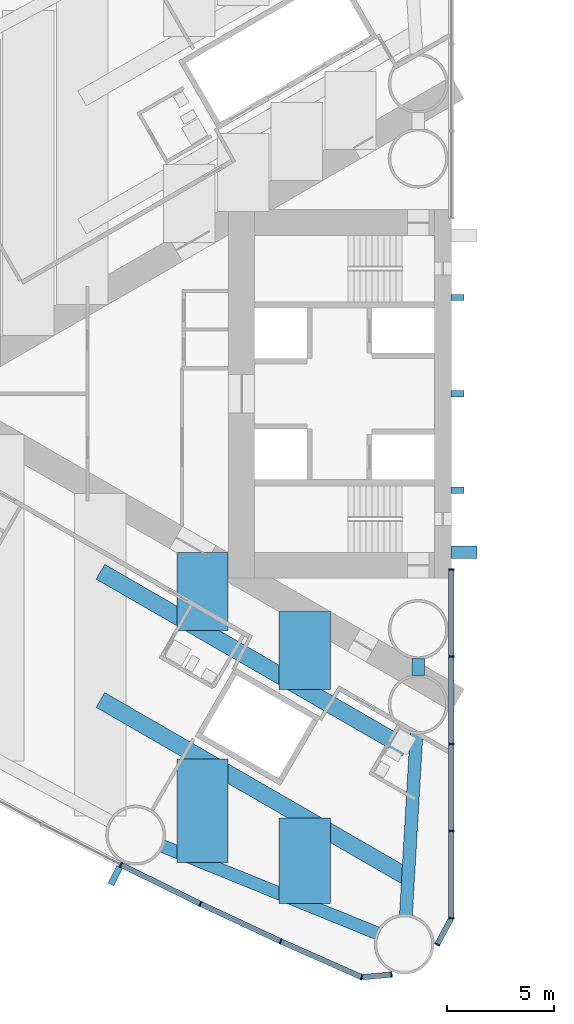
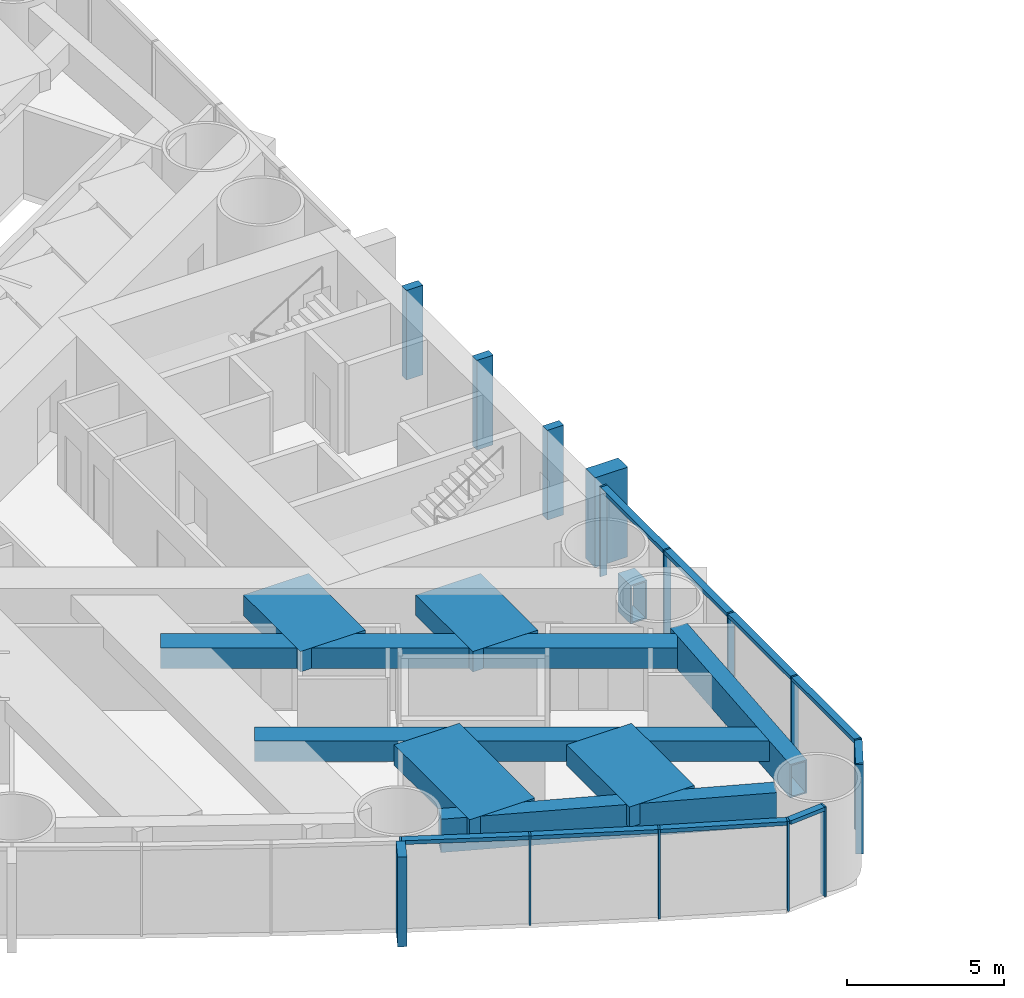
# One storey, part 3 of 19: 25 members, 9 beams, 2 elements without a shape of their own.
"""IFC4 building model written with IfcOpenShell, lengths in metres."""

from ifc_helpers import new_model, si_unit, direction, frame, origin, origin_2d, place, context, subcontext, project, spatial, rectangle, hollow_rectangle, extrude, material, material_profile, profile_set, type_object, element, aggregate, save


model = new_model("IFC4")

# Units and contexts
model_context = context("Model", 3, precision=1e-05, world=origin(), true_north=direction((0.0, 1.0)))
body_context = subcontext(model_context, "Body", "Model", "MODEL_VIEW")
ifc_project = project(units=[si_unit("LENGTHUNIT", "METRE"), si_unit("AREAUNIT", "SQUARE_METRE"), si_unit("VOLUMEUNIT", "CUBIC_METRE"), si_unit("PLANEANGLEUNIT", "RADIAN"), si_unit("MASSUNIT", "GRAM", prefix="KILO")], contexts=[model_context])

# Site, building, storey
site_placement = place(None, origin())
site = spatial("IfcSite", under=ifc_project, at=site_placement, CompositionType="ELEMENT")
building_placement = place(site_placement, origin())
building = spatial("IfcBuilding", under=site, at=building_placement, Name="Lancet Gate Hotel", CompositionType="ELEMENT")
storey_placement = place(building_placement, frame((0.0, 0.0, 74.0)))
storey = spatial("IfcBuildingStorey", under=building, at=storey_placement, Name="L19", CompositionType="ELEMENT", Elevation=74.0)

# Curtain wall, members
ifc_material_1 = material(Name="Aluminium curtain wall", Category="aluminium")
curtain_wall_type = type_object("IfcCurtainWallType", Name="Tower unitised curtain wall", PredefinedType="USERDEFINED", material=ifc_material_1)
curtain_wall_1_placement = place(storey_placement, origin())
curtain_wall_1 = element("IfcCurtainWall", 1, at=curtain_wall_1_placement, inside=storey, type_object=curtain_wall_type, Name="T1 L19 curtain wall 3", ObjectType="UNITISED CURTAIN WALL", PredefinedType="USERDEFINED")
ifc_material_2 = material(Name="Aluminium mullion", Category="aluminium")
ifc_material_profile_1 = material_profile(ifc_material_2, rectangle(XDim=0.06494140625, YDim=0.25, at=origin_2d()), Name="MULLION 65x250")
ifc_profile_set_1 = profile_set([ifc_material_profile_1], Name="Aluminium mullion")
member_type_1 = type_object("IfcMemberType", Name="Aluminium mullion 65x250", PredefinedType="MULLION", material=ifc_profile_set_1)
member_1_placement = place(storey_placement, frame((-42.94189453125, -21.991943359375, 0.0), z_axis=(0.0, 0.0, 1.0), x_axis=(0.893291549794, -0.449477704748, 0.0)))
member_1 = element("IfcMember", 2, at=member_1_placement, type_object=member_type_1, Name="T1 L19 curtain wall 3 mullion 11", PredefinedType="MULLION", context=body_context, shape_type="SweptSolid", body=[
    extrude(rectangle(XDim=0.06494140625, YDim=0.25, at=origin_2d()), origin(), (0.0, 0.0, 1.0), 3.5),
])
member_2_placement = place(storey_placement, frame((-39.225341796875, -23.816650390625, 0.0), z_axis=(0.0, 0.0, 1.0), x_axis=(0.901928838337, -0.431884672772, 0.0)))
member_2 = element("IfcMember", 3, at=member_2_placement, type_object=member_type_1, Name="T1 L19 curtain wall 3 mullion 12", PredefinedType="MULLION", context=body_context, shape_type="SweptSolid", body=[
    extrude(rectangle(XDim=0.06494140625, YDim=0.25, at=origin_2d()), origin(), (0.0, 0.0, 1.0), 3.5),
])
member_3_placement = place(storey_placement, frame((-35.473876953125, -25.568115234375, 0.0), z_axis=(0.0, 0.0, 1.0), x_axis=(0.910219680212, -0.414125746308, 0.0)))
member_3 = element("IfcMember", 4, at=member_3_placement, type_object=member_type_1, Name="T1 L19 curtain wall 3 mullion 13", PredefinedType="MULLION", context=body_context, shape_type="SweptSolid", body=[
    extrude(rectangle(XDim=0.06494140625, YDim=0.25, at=origin_2d()), origin(), (0.0, 0.0, 1.0), 3.5),
])
member_4_placement = place(storey_placement, frame((-31.688720703125, -27.24560546875, 0.0), z_axis=(0.0, 0.0, 1.0), x_axis=(0.957524354695, -0.288352406209, 0.0)))
member_4 = element("IfcMember", 5, at=member_4_placement, type_object=member_type_1, Name="T1 L19 curtain wall 3 mullion 14", PredefinedType="MULLION", context=body_context, shape_type="SweptSolid", body=[
    extrude(rectangle(XDim=0.06494140625, YDim=0.25, at=origin_2d()), origin(), (0.0, 0.0, 1.0), 3.5),
])
member_5_placement = place(storey_placement, frame((-30.3046875, -27.124755859375, 0.0), z_axis=(0.0, 0.0, 1.0), x_axis=(0.99620380374, 0.087051602022, 0.0)))
member_5 = element("IfcMember", 6, at=member_5_placement, type_object=member_type_1, Name="T1 L19 curtain wall 3 mullion 15", PredefinedType="MULLION", context=body_context, shape_type="SweptSolid", body=[
    extrude(rectangle(XDim=0.06494140625, YDim=0.25, at=origin_2d()), origin(), (0.0, 0.0, 1.0), 3.5),
])

curtain_wall_2_placement = place(storey_placement, origin())
curtain_wall_2 = element("IfcCurtainWall", 7, at=curtain_wall_2_placement, inside=storey, type_object=curtain_wall_type, Name="T1 L19 curtain wall 4", ObjectType="UNITISED CURTAIN WALL", PredefinedType="USERDEFINED")
member_6_placement = place(storey_placement, frame((-28.158935546875, -25.712890625, 0.0), z_axis=(0.0, 0.0, 1.0), x_axis=(0.474631040972, 0.880184852714, 0.0)))
member_6 = element("IfcMember", 8, at=member_6_placement, type_object=member_type_1, Name="T1 L19 curtain wall 4 mullion 1", PredefinedType="MULLION", context=body_context, shape_type="SweptSolid", body=[
    extrude(rectangle(XDim=0.06494140625, YDim=0.25, at=origin_2d()), origin(), (0.0, 0.0, 1.0), 3.5),
])
member_7_placement = place(storey_placement, frame((-27.5, -24.4912109375, 0.0), z_axis=(0.0, 0.0, 1.0), x_axis=(0.123482502544, 0.992346749662, 0.0)))
member_7 = element("IfcMember", 9, at=member_7_placement, type_object=member_type_1, Name="T1 L19 curtain wall 4 mullion 2", PredefinedType="MULLION", context=body_context, shape_type="SweptSolid", body=[
    extrude(rectangle(XDim=0.06494140625, YDim=0.25, at=origin_2d()), origin(), (0.0, 0.0, 1.0), 3.5),
])
member_8_placement = place(storey_placement, frame((-27.5, -20.41845703125, 0.0), z_axis=(0.0, 0.0, 1.0), x_axis=(0.0, 1.0, 0.0)))
member_8 = element("IfcMember", 10, at=member_8_placement, type_object=member_type_1, Name="T1 L19 curtain wall 4 mullion 3", PredefinedType="MULLION", context=body_context, shape_type="SweptSolid", body=[
    extrude(rectangle(XDim=0.06494140625, YDim=0.25, at=origin_2d()), origin(), (0.0, 0.0, 1.0), 3.5),
])
member_9_placement = place(storey_placement, frame((-27.5, -16.345703125, 0.0), z_axis=(0.0, 0.0, 1.0), x_axis=(0.0, 1.0, 0.0)))
member_9 = element("IfcMember", 11, at=member_9_placement, type_object=member_type_1, Name="T1 L19 curtain wall 4 mullion 4", PredefinedType="MULLION", context=body_context, shape_type="SweptSolid", body=[
    extrude(rectangle(XDim=0.06494140625, YDim=0.25, at=origin_2d()), origin(), (0.0, 0.0, 1.0), 3.5),
])
member_10_placement = place(storey_placement, frame((-27.5, -12.272705078125, 0.0), z_axis=(0.0, 0.0, 1.0), x_axis=(0.0, 1.0, 0.0)))
member_10 = element("IfcMember", 12, at=member_10_placement, type_object=member_type_1, Name="T1 L19 curtain wall 4 mullion 5", PredefinedType="MULLION", context=body_context, shape_type="SweptSolid", body=[
    extrude(rectangle(XDim=0.06494140625, YDim=0.25, at=origin_2d()), origin(), (0.0, 0.0, 1.0), 3.5),
])
member_11_placement = place(storey_placement, frame((-27.5, -8.199951171875, 0.0), z_axis=(0.0, 0.0, 1.0), x_axis=(0.0, 1.0, 0.0)))
member_11 = element("IfcMember", 13, at=member_11_placement, type_object=member_type_1, Name="T1 L19 curtain wall 4 mullion 6", PredefinedType="MULLION", context=body_context, shape_type="SweptSolid", body=[
    extrude(rectangle(XDim=0.06494140625, YDim=0.25, at=origin_2d()), origin(), (0.0, 0.0, 1.0), 3.5),
])

# Member
ifc_material_3 = material(Name="Aluminium transom", Category="aluminium")
ifc_material_profile_2 = material_profile(ifc_material_3, rectangle(XDim=0.25, YDim=0.14990234375, at=origin_2d()), Name="TRANSOM 250x150")
ifc_profile_set_2 = profile_set([ifc_material_profile_2], Name="Aluminium transom")
member_type_2 = type_object("IfcMemberType", Name="Aluminium transom 250x150", PredefinedType="USERDEFINED", material=ifc_profile_set_2)
member_12_placement = place(storey_placement, frame((-42.912841796875, -22.00634765625, 3.425048828125), z_axis=(0.897662439958, -0.440683723194, 0.0), x_axis=(0.440683723194, 0.897662439958, 0.0)))
member_12 = element("IfcMember", 14, at=member_12_placement, type_object=member_type_2, Name="T1 L19 curtain wall 3 transom 11", ObjectType="TRANSOM", PredefinedType="USERDEFINED", context=body_context, shape_type="SweptSolid", body=[
    extrude(rectangle(XDim=0.25, YDim=0.14990234375, at=origin_2d()), origin(), (0.0, 0.0, 1.0), 4.0751953125),
])

member_13_placement = place(storey_placement, frame((-39.196044921875, -23.830322265625, 3.425048828125), z_axis=(0.906109667261, -0.423042871228, 0.0), x_axis=(0.423042871228, 0.906109667261, 0.0)))
member_13 = element("IfcMember", 15, at=member_13_placement, type_object=member_type_2, Name="T1 L19 curtain wall 3 transom 12", ObjectType="TRANSOM", PredefinedType="USERDEFINED", context=body_context, shape_type="SweptSolid", body=[
    extrude(rectangle(XDim=0.25, YDim=0.14990234375, at=origin_2d()), origin(), (0.0, 0.0, 1.0), 4.075439453125),
])

member_14_placement = place(storey_placement, frame((-35.444091796875, -25.581298828125, 3.425048828125), z_axis=(0.914248281954, -0.405154389022, 0.0), x_axis=(0.405154389022, 0.914248281954, 0.0)))
member_14 = element("IfcMember", 16, at=member_14_placement, type_object=member_type_2, Name="T1 L19 curtain wall 3 transom 13", ObjectType="TRANSOM", PredefinedType="USERDEFINED", context=body_context, shape_type="SweptSolid", body=[
    extrude(rectangle(XDim=0.25, YDim=0.14990234375, at=origin_2d()), origin(), (0.0, 0.0, 1.0), 4.0751953125),
])

member_15_placement = place(storey_placement, frame((-31.65625, -27.242919921875, 3.425048828125), z_axis=(0.99620591587, 0.087027427779, 0.0), x_axis=(-0.087027427779, 0.99620591587, 0.0)))
member_15 = element("IfcMember", 17, at=member_15_placement, type_object=member_type_2, Name="T1 L19 curtain wall 3 transom 14", ObjectType="TRANSOM", PredefinedType="USERDEFINED", context=body_context, shape_type="SweptSolid", body=[
    extrude(rectangle(XDim=0.25, YDim=0.14990234375, at=origin_2d()), origin(), (0.0, 0.0, 1.0), 1.32421875),
])

member_16_placement = place(storey_placement, frame((-28.143310546875, -25.684326171875, 3.425048828125), z_axis=(0.474605926905, 0.880198394765, 0.0), x_axis=(-0.880198394765, 0.474605926905, 0.0)))
member_16 = element("IfcMember", 18, at=member_16_placement, type_object=member_type_2, Name="T1 L19 curtain wall 4 transom 1", ObjectType="TRANSOM", PredefinedType="USERDEFINED", context=body_context, shape_type="SweptSolid", body=[
    extrude(rectangle(XDim=0.25, YDim=0.14990234375, at=origin_2d()), origin(), (0.0, 0.0, 1.0), 1.322998046875),
])

member_17_placement = place(storey_placement, frame((-27.5, -24.458740234375, 3.425048828125), z_axis=(0.0, 1.0, 0.0), x_axis=(-1.0, 0.0, 0.0)))
member_17 = element("IfcMember", 19, at=member_17_placement, type_object=member_type_2, Name="T1 L19 curtain wall 4 transom 2", ObjectType="TRANSOM", PredefinedType="USERDEFINED", context=body_context, shape_type="SweptSolid", body=[
    extrude(rectangle(XDim=0.25, YDim=0.14990234375, at=origin_2d()), origin(), (0.0, 0.0, 1.0), 4.0078125),
])

member_18_placement = place(storey_placement, frame((-27.5, -20.385986328125, 3.425048828125), z_axis=(0.0, 1.0, 0.0), x_axis=(-1.0, 0.0, 0.0)))
member_18 = element("IfcMember", 20, at=member_18_placement, type_object=member_type_2, Name="T1 L19 curtain wall 4 transom 3", ObjectType="TRANSOM", PredefinedType="USERDEFINED", context=body_context, shape_type="SweptSolid", body=[
    extrude(rectangle(XDim=0.25, YDim=0.14990234375, at=origin_2d()), origin(), (0.0, 0.0, 1.0), 4.0078125),
])

member_19_placement = place(storey_placement, frame((-27.5, -16.31298828125, 3.425048828125), z_axis=(0.0, 1.0, 0.0), x_axis=(-1.0, 0.0, 0.0)))
member_19 = element("IfcMember", 21, at=member_19_placement, type_object=member_type_2, Name="T1 L19 curtain wall 4 transom 4", ObjectType="TRANSOM", PredefinedType="USERDEFINED", context=body_context, shape_type="SweptSolid", body=[
    extrude(rectangle(XDim=0.25, YDim=0.14990234375, at=origin_2d()), origin(), (0.0, 0.0, 1.0), 4.0078125),
])

member_20_placement = place(storey_placement, frame((-27.5, -12.240234375, 3.425048828125), z_axis=(0.0, 1.0, 0.0), x_axis=(-1.0, 0.0, 0.0)))
member_20 = element("IfcMember", 22, at=member_20_placement, type_object=member_type_2, Name="T1 L19 curtain wall 4 transom 5", ObjectType="TRANSOM", PredefinedType="USERDEFINED", context=body_context, shape_type="SweptSolid", body=[
    extrude(rectangle(XDim=0.25, YDim=0.14990234375, at=origin_2d()), origin(), (0.0, 0.0, 1.0), 4.0078125),
])

aggregate(curtain_wall_2, [member_6, member_7, member_8, member_9, member_10, member_11, member_16, member_17, member_18, member_19, member_20])

# Beams
ifc_material_4 = material(Name="Steel S460QL", Category="steel")
ifc_material_profile_3 = material_profile(ifc_material_4, hollow_rectangle(XDim=0.60009765625, YDim=1.300048828125, WallThickness=0.050048828125, at=origin_2d()), Name="BOX 1300x600x50")
ifc_profile_set_3 = profile_set([ifc_material_profile_3], Name="Steel S460QL")
beam_type_1 = type_object("IfcBeamType", Name="Edge beam BOX 1300x600x50", PredefinedType="SPANDREL", material=ifc_profile_set_3)
beam_1_placement = place(storey_placement, frame((-40.994384765625, -21.115478515625, 2.60009765625), z_axis=(0.926458966929, -0.376395779196, 0.0), x_axis=(0.376395779196, 0.926458966929, 0.0)))
element("IfcBeam", 23, at=beam_1_placement, inside=storey, type_object=beam_type_1, Name="T1 edge beam EB2 L19", PredefinedType="SPANDREL", context=body_context, shape_type="SweptSolid", body=[
    extrude(hollow_rectangle(XDim=0.60009765625, YDim=1.300048828125, WallThickness=0.050048828125, at=origin_2d()), origin(), (0.0, 0.0, 1.0), 10.837158203125),
])
beam_2_placement = place(storey_placement, frame((-29.128662109375, -15.84765625, 2.60009765625), z_axis=(-0.058214827762, -0.99830407884, 0.0), x_axis=(0.99830407884, -0.058214827762, 0.0)))
element("IfcBeam", 24, at=beam_2_placement, inside=storey, type_object=beam_type_1, Name="T1 edge beam EB2 L19", PredefinedType="SPANDREL", context=body_context, shape_type="SweptSolid", body=[
    extrude(hollow_rectangle(XDim=0.60009765625, YDim=1.300048828125, WallThickness=0.050048828125, at=origin_2d()), origin(), (0.0, 0.0, 1.0), 8.521728515625),
])

# Member
ifc_material_5 = material(Name="Concrete C60/75", Category="concrete")
ifc_material_profile_4 = material_profile(ifc_material_5, rectangle(XDim=0.60009765625, YDim=1.199951171875, at=origin_2d()), Name="FIN 600x1200")
ifc_profile_set_4 = profile_set([ifc_material_profile_4], Name="Concrete C60/75")
member_type_3 = type_object("IfcMemberType", Name="Exposed concrete buttress pilaster 600x1200", PredefinedType="USERDEFINED", material=ifc_profile_set_4)
member_21_placement = place(storey_placement, frame((-26.909912109375, -7.39990234375, 0.0), z_axis=(0.0, 0.0, 1.0), x_axis=(0.0, 1.0, 0.0)))
element("IfcMember", 25, at=member_21_placement, inside=storey, type_object=member_type_3, Name="T1 buttress pilaster N L19", ObjectType="FIN", PredefinedType="USERDEFINED", context=body_context, shape_type="SweptSolid", body=[
    extrude(rectangle(XDim=0.60009765625, YDim=1.199951171875, at=origin_2d()), origin(), (0.0, 0.0, 1.0), 3.5),
])

ifc_material_6 = material(Name="Precast concrete C50/60", Category="concrete")
ifc_material_profile_5 = material_profile(ifc_material_6, rectangle(XDim=0.300048828125, YDim=0.89990234375, at=origin_2d()), Name="FIN 300x900")
ifc_profile_set_5 = profile_set([ifc_material_profile_5], Name="Precast concrete C50/60")
member_type_4 = type_object("IfcMemberType", Name="Exposed concrete fin 300x900", PredefinedType="USERDEFINED", material=ifc_profile_set_5)
member_22_placement = place(storey_placement, frame((-43.200439453125, -22.505615234375, 0.0), z_axis=(0.0, 0.0, 1.0), x_axis=(0.893291549794, -0.449477704748, 0.0)))
member_22 = element("IfcMember", 26, at=member_22_placement, type_object=member_type_4, Name="T1 L19 curtain wall 3 fin 11", ObjectType="FIN", PredefinedType="USERDEFINED", context=body_context, shape_type="SweptSolid", body=[
    extrude(rectangle(XDim=0.300048828125, YDim=0.89990234375, at=origin_2d()), origin(), (0.0, 0.0, 1.0), 3.5),
])

aggregate(curtain_wall_1, [member_1, member_22, member_2, member_3, member_4, member_5, member_12, member_13, member_14, member_15])

# Members
ifc_material_7 = material(Name="Concrete C60/75", Category="concrete")
ifc_material_profile_6 = material_profile(ifc_material_7, rectangle(XDim=0.300048828125, YDim=0.60009765625, at=origin_2d()), Name="FIN 300x600")
ifc_profile_set_6 = profile_set([ifc_material_profile_6], Name="Concrete C60/75")
member_type_5 = type_object("IfcMemberType", Name="Exposed concrete rib 300x600", PredefinedType="USERDEFINED", material=ifc_profile_set_6)
for number, where, z_axis, x_axis, name in (
    (27, (-27.2099609375, 4.5, 0.0), (0.0, 0.0, 1.0), (0.0, 1.0, 0.0), "T1 core rib 1 L19"),
    (28, (-27.2099609375, 0.0, 0.0), (0.0, 0.0, 1.0), (0.0, 1.0, 0.0), "T1 core rib 2 L19"),
    (29, (-27.2099609375, -4.5, 0.0), (0.0, 0.0, 1.0), (0.0, 1.0, 0.0), "T1 core rib 3 L19"),
):
    element("IfcMember", number, at=place(storey_placement, frame(where, z_axis=z_axis, x_axis=x_axis)), inside=storey, type_object=member_type_5, Name=name, ObjectType="FIN", PredefinedType="USERDEFINED", context=body_context, shape_type="SweptSolid", body=[
        extrude(rectangle(XDim=0.300048828125, YDim=0.60009765625, at=origin_2d()), origin(), (0.0, 0.0, 1.0), 3.5),
    ])

# Beams
ifc_material_8 = material(Name="Concrete C50/60", Category="concrete")
ifc_material_profile_7 = material_profile(ifc_material_8, rectangle(XDim=2.39990234375, YDim=0.800048828125, at=origin_2d()), Name="RC 2400x800")
ifc_profile_set_7 = profile_set([ifc_material_profile_7], Name="Concrete C50/60")
beam_type_2 = type_object("IfcBeamType", Name="Floor beam RC 2400x800", PredefinedType="BEAM", material=ifc_profile_set_7)
beam_3_placement = place(storey_placement, frame((-34.353515625, -10.169921875, 2.85009765625), z_axis=(0.0, -1.0, 0.0), x_axis=(1.0, 0.0, 0.0)))
element("IfcBeam", 30, at=beam_3_placement, inside=storey, type_object=beam_type_2, Name="T1 floor beam F03NA L19", PredefinedType="BEAM", context=body_context, shape_type="SweptSolid", body=[
    extrude(rectangle(XDim=2.39990234375, YDim=0.800048828125, at=origin_2d()), origin(), (0.0, 0.0, 1.0), 3.645751953125),
])
beam_4_placement = place(storey_placement, frame((-34.353515625, -19.802978515625, 2.85009765625), z_axis=(0.0, -1.0, 0.0), x_axis=(1.0, 0.0, 0.0)))
element("IfcBeam", 31, at=beam_4_placement, inside=storey, type_object=beam_type_2, Name="T1 floor beam F03NB L19", PredefinedType="BEAM", context=body_context, shape_type="SweptSolid", body=[
    extrude(rectangle(XDim=2.39990234375, YDim=0.800048828125, at=origin_2d()), origin(), (0.0, 0.0, 1.0), 4.010498046875),
])
beam_5_placement = place(storey_placement, frame((-39.122314453125, -7.41650390625, 2.85009765625), z_axis=(0.0, -1.0, 0.0), x_axis=(1.0, 0.0, 0.0)))
element("IfcBeam", 32, at=beam_5_placement, inside=storey, type_object=beam_type_2, Name="T1 floor beam F06NA L19", PredefinedType="BEAM", context=body_context, shape_type="SweptSolid", body=[
    extrude(rectangle(XDim=2.39990234375, YDim=0.800048828125, at=origin_2d()), origin(), (0.0, 0.0, 1.0), 3.64599609375),
])
beam_6_placement = place(storey_placement, frame((-39.122314453125, -17.0498046875, 2.85009765625), z_axis=(0.0, -1.0, 0.0), x_axis=(1.0, 0.0, 0.0)))
element("IfcBeam", 33, at=beam_6_placement, inside=storey, type_object=beam_type_2, Name="T1 floor beam F06NB L19", PredefinedType="BEAM", context=body_context, shape_type="SweptSolid", body=[
    extrude(rectangle(XDim=2.39990234375, YDim=0.800048828125, at=origin_2d()), origin(), (0.0, 0.0, 1.0), 4.826416015625),
])
ifc_material_9 = material(Name="Steel S460QL", Category="steel")
ifc_material_profile_8 = material_profile(ifc_material_9, hollow_rectangle(XDim=0.60009765625, YDim=1.5, WallThickness=0.050048828125, at=origin_2d()), Name="BOX 1500x600x50")
ifc_profile_set_8 = profile_set([ifc_material_profile_8], Name="Steel S460QL")
beam_type_3 = type_object("IfcBeamType", Name="Inner-face link beam BOX 1500x600x50", PredefinedType="BEAM", material=ifc_profile_set_8)
beam_7_placement = place(storey_placement, frame((-29.050048828125, -12.35009765625, 2.5), z_axis=(0.0, -1.0, 0.0), x_axis=(1.0, 0.0, 0.0)))
element("IfcBeam", 34, at=beam_7_placement, inside=storey, type_object=beam_type_3, Name="T1 inner-face link beam LK1 L19", PredefinedType="BEAM", context=body_context, shape_type="SweptSolid", body=[
    extrude(hollow_rectangle(XDim=0.60009765625, YDim=1.5, WallThickness=0.050048828125, at=origin_2d()), origin(), (0.0, 0.0, 1.0), 0.7998046875),
])
ifc_material_10 = material(Name="Steel S460QL", Category="steel")
ifc_material_profile_9 = material_profile(ifc_material_10, hollow_rectangle(XDim=0.800048828125, YDim=0.800048828125, WallThickness=0.080078125, at=origin_2d()), Name="BOX 800x800x80")
ifc_profile_set_9 = profile_set([ifc_material_profile_9], Name="Steel S460QL")
beam_type_4 = type_object("IfcBeamType", Name="Trimmer beam BOX 800x800x80", PredefinedType="BEAM", material=ifc_profile_set_9)
for number, where, z_axis, x_axis, name in (
    (35, (-29.58447265625, -22.55615234375, 2.85009765625), (-0.866040141834, 0.49997447208, 0.0), (-0.49997447208, -0.866040141834, 0.0), "T1 trimmer beam TR03N L19"),
    (36, (-29.58447265625, -16.56884765625, 2.85009765625), (-0.866040141834, 0.49997447208, 0.0), (-0.49997447208, -0.866040141834, 0.0), "T1 trimmer beam TR04N L19"),
):
    element("IfcBeam", number, at=place(storey_placement, frame(where, z_axis=z_axis, x_axis=x_axis)), inside=storey, type_object=beam_type_4, Name=name, PredefinedType="BEAM", context=body_context, shape_type="SweptSolid", body=[
        extrude(hollow_rectangle(XDim=0.800048828125, YDim=0.800048828125, WallThickness=0.080078125, at=origin_2d()), origin(), (0.0, 0.0, 1.0), 16.519775390625),
    ])

save(model, "model.ifc")
